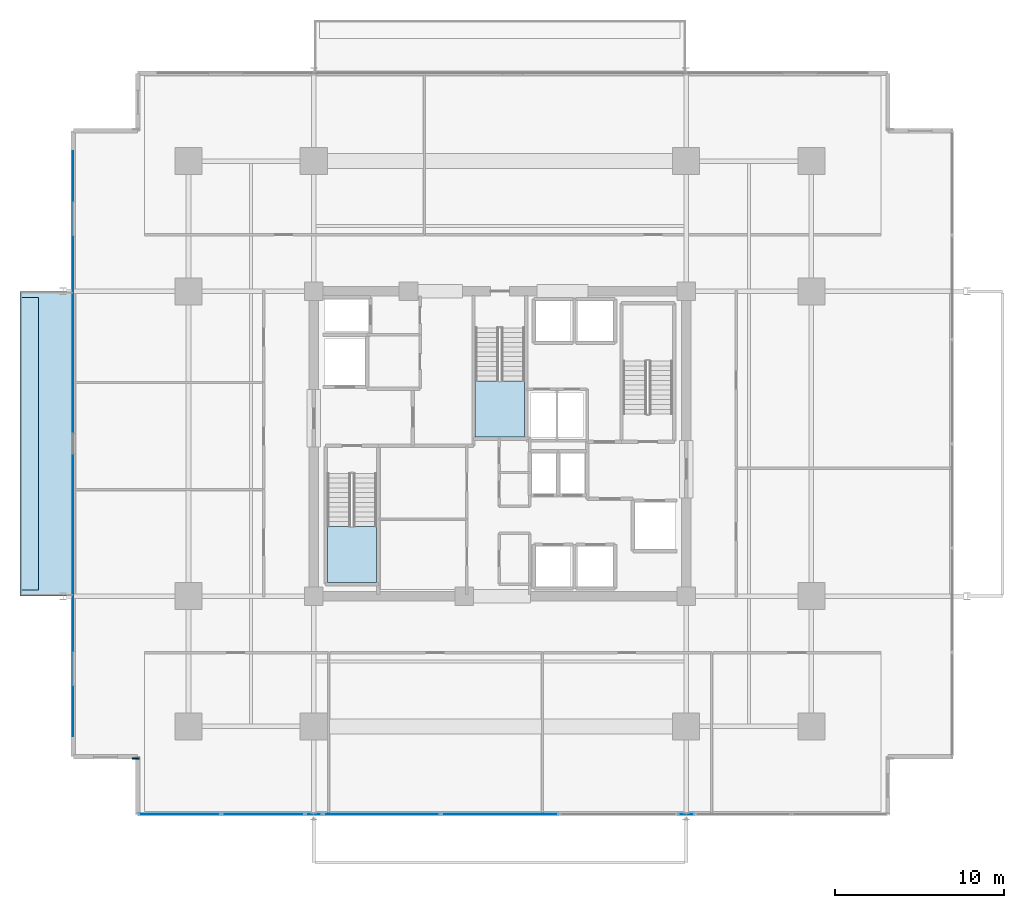
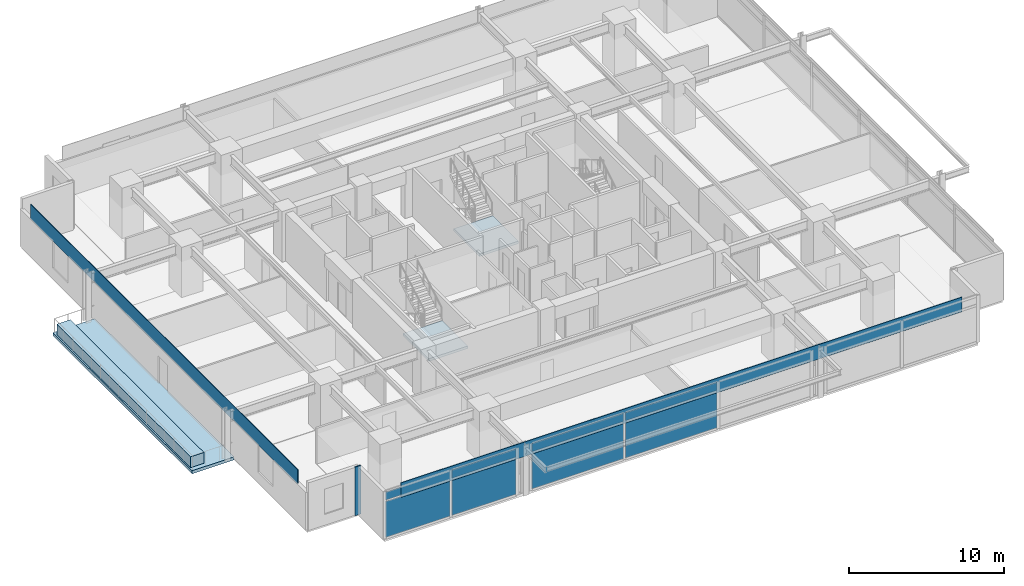
# One storey, part 13 of 23: 11 plates, 4 slabs, 4 elements without a shape of their own.
"""IFC4 building model written with IfcOpenShell, lengths in metres."""

from ifc_helpers import new_model, si_unit, direction, frame, origin, origin_2d, place, context, subcontext, project, spatial, polyline, rectangle, outline, extrude, material, layer, layer_set, type_object, element, aggregate, save


model = new_model("IFC4")

# Units and contexts
model_context = context("Model", 3, precision=1e-05, world=origin(), true_north=direction((0.0, 1.0)))
body_context = subcontext(model_context, "Body", "Model", "MODEL_VIEW")
ifc_project = project(units=[si_unit("LENGTHUNIT", "METRE"), si_unit("AREAUNIT", "SQUARE_METRE"), si_unit("VOLUMEUNIT", "CUBIC_METRE"), si_unit("PLANEANGLEUNIT", "RADIAN"), si_unit("MASSUNIT", "GRAM", prefix="KILO")], contexts=[model_context])

# Site, building, storey
site_placement = place(None, origin())
site = spatial("IfcSite", under=ifc_project, at=site_placement, CompositionType="ELEMENT")
building_placement = place(site_placement, origin())
building = spatial("IfcBuilding", under=site, at=building_placement, Name="Kovane Verandah Tower", CompositionType="ELEMENT")
storey_placement = place(building_placement, frame((0.0, 0.0, 168.39990234375)))
storey = spatial("IfcBuildingStorey", under=building, at=storey_placement, Name="L39", CompositionType="ELEMENT", Elevation=168.39990234375)

# Curtain wall, plates
ifc_material_1 = material(Name="Champagne Anodised Aluminium Frame with Low-E Clear Laminated Glass", Category="aluminium")
curtain_wall_type = type_object("IfcCurtainWallType", Name="CW-SYS-03-MID", PredefinedType="NOTDEFINED", material=ifc_material_1)
curtain_wall_1_placement = place(storey_placement, origin())
curtain_wall_1 = element("IfcCurtainWall", 1, at=curtain_wall_1_placement, inside=storey, type_object=curtain_wall_type, Name="L39 S Unitised Curtain Wall-1", PredefinedType="NOTDEFINED")
ifc_material_2 = material(Name="Pale Champagne Anodised Aluminium Insulated Spandrel", Category="aluminium")
ifc_layer_1 = layer(ifc_material_2, 0.0400390625)
ifc_layer_set_1 = layer_set([ifc_layer_1], Name="Pale Champagne Anodised Aluminium Insulated Spandrel")
plate_type_1 = type_object("IfcPlateType", Name="PL-CW-SPD-40", PredefinedType="SHEET", material=ifc_layer_set_1)
plate_1_placement = place(storey_placement, frame((21.067626953125, 5.617919921875, 3.044921875), z_axis=(0.0, 0.0, 1.0), x_axis=(1.0, 0.0, 0.0)))
plate_1 = element("IfcPlate", 2, at=plate_1_placement, type_object=plate_type_1, Name="L39 S Unitised Curtain Wall-1 Spandrel Panel 1", PredefinedType="SHEET", context=body_context, shape_type="SweptSolid", body=[
    extrude(rectangle(XDim=4.801513671875, YDim=0.0400390625, at=origin_2d()), origin(), (0.0, 0.0, 1.0), 0.639892578125),
])
plate_2_placement = place(storey_placement, frame((26.00927734375, 5.617919921875, 3.044921875), z_axis=(0.0, 0.0, 1.0), x_axis=(1.0, 0.0, 0.0)))
plate_2 = element("IfcPlate", 3, at=plate_2_placement, type_object=plate_type_1, Name="L39 S Unitised Curtain Wall-1 Spandrel Panel 2", PredefinedType="SHEET", context=body_context, shape_type="SweptSolid", body=[
    extrude(rectangle(XDim=4.801513671875, YDim=0.0400390625, at=origin_2d()), origin(), (0.0, 0.0, 1.0), 0.639892578125),
])

curtain_wall_2_placement = place(storey_placement, origin())
curtain_wall_2 = element("IfcCurtainWall", 4, at=curtain_wall_2_placement, inside=storey, type_object=curtain_wall_type, Name="L39 S Unitised Curtain Wall-2", PredefinedType="NOTDEFINED")
plate_3_placement = place(storey_placement, frame((33.01318359375, 5.617919921875, 3.044921875), z_axis=(0.0, 0.0, 1.0), x_axis=(1.0, 0.0, 0.0)))
plate_3 = element("IfcPlate", 5, at=plate_3_placement, type_object=plate_type_1, Name="L39 S Unitised Curtain Wall-2 Spandrel Panel 1", PredefinedType="SHEET", context=body_context, shape_type="SweptSolid", body=[
    extrude(rectangle(XDim=6.8466796875, YDim=0.0400390625, at=origin_2d()), origin(), (0.0, 0.0, 1.0), 0.639892578125),
])
plate_4_placement = place(storey_placement, frame((40.0, 5.617919921875, 3.044921875), z_axis=(0.0, 0.0, 1.0), x_axis=(1.0, 0.0, 0.0)))
plate_4 = element("IfcPlate", 6, at=plate_4_placement, type_object=plate_type_1, Name="L39 S Unitised Curtain Wall-2 Spandrel Panel 2", PredefinedType="SHEET", context=body_context, shape_type="SweptSolid", body=[
    extrude(rectangle(XDim=6.8466796875, YDim=0.0400390625, at=origin_2d()), origin(), (0.0, 0.0, 1.0), 0.639892578125),
])

# Plate
ifc_material_3 = material(Name="Clear Low-E Laminated Double Glazing", Category="glass")
ifc_layer_2 = layer(ifc_material_3, 0.031982421875)
ifc_layer_set_2 = layer_set([ifc_layer_2], Name="Clear Low-E Laminated Double Glazing")
plate_type_2 = type_object("IfcPlateType", Name="PL-CW-VIS-32", PredefinedType="CURTAIN_PANEL", material=ifc_layer_set_2)
plate_5_placement = place(storey_placement, frame((21.067626953125, 5.617919921875, 0.10009765625), z_axis=(0.0, 0.0, 1.0), x_axis=(1.0, 0.0, 0.0)))
plate_5 = element("IfcPlate", 7, at=plate_5_placement, type_object=plate_type_2, Name="L39 S Unitised Curtain Wall-1 Vision Panel 1", PredefinedType="CURTAIN_PANEL", context=body_context, shape_type="SweptSolid", body=[
    extrude(rectangle(XDim=4.801513671875, YDim=0.031982421875, at=origin_2d()), origin(), (0.0, 0.0, 1.0), 2.844970703125),
])

plate_6_placement = place(storey_placement, frame((26.00927734375, 5.617919921875, 0.10009765625), z_axis=(0.0, 0.0, 1.0), x_axis=(1.0, 0.0, 0.0)))
plate_6 = element("IfcPlate", 8, at=plate_6_placement, type_object=plate_type_2, Name="L39 S Unitised Curtain Wall-1 Vision Panel 2", PredefinedType="CURTAIN_PANEL", context=body_context, shape_type="SweptSolid", body=[
    extrude(rectangle(XDim=4.801513671875, YDim=0.031982421875, at=origin_2d()), origin(), (0.0, 0.0, 1.0), 2.844970703125),
])

aggregate(curtain_wall_1, [plate_5, plate_1, plate_6, plate_2])

plate_7_placement = place(storey_placement, frame((33.01318359375, 5.617919921875, 0.10009765625), z_axis=(0.0, 0.0, 1.0), x_axis=(1.0, 0.0, 0.0)))
plate_7 = element("IfcPlate", 9, at=plate_7_placement, type_object=plate_type_2, Name="L39 S Unitised Curtain Wall-2 Vision Panel 1", PredefinedType="CURTAIN_PANEL", context=body_context, shape_type="SweptSolid", body=[
    extrude(rectangle(XDim=6.8466796875, YDim=0.031982421875, at=origin_2d()), origin(), (0.0, 0.0, 1.0), 2.844970703125),
])

plate_8_placement = place(storey_placement, frame((40.0, 5.617919921875, 0.10009765625), z_axis=(0.0, 0.0, 1.0), x_axis=(1.0, 0.0, 0.0)))
plate_8 = element("IfcPlate", 10, at=plate_8_placement, type_object=plate_type_2, Name="L39 S Unitised Curtain Wall-2 Vision Panel 2", PredefinedType="CURTAIN_PANEL", context=body_context, shape_type="SweptSolid", body=[
    extrude(rectangle(XDim=6.8466796875, YDim=0.031982421875, at=origin_2d()), origin(), (0.0, 0.0, 1.0), 2.844970703125),
])

aggregate(curtain_wall_2, [plate_7, plate_3, plate_8, plate_4])

# Plates
ifc_material_4 = material(Name="Timber-Toned Subtropical Aluminium Vertical Blade", Category="wood")
ifc_layer_3 = layer(ifc_material_4, 0.090087890625)
ifc_layer_set_3 = layer_set([ifc_layer_3], Name="Timber-Toned Subtropical Aluminium Vertical Blade")
plate_type_3 = type_object("IfcPlateType", Name="PL-FIN-90", PredefinedType="USERDEFINED", material=ifc_layer_set_3)
plate_9_placement = place(storey_placement, frame((18.476806640625, 8.897705078125, -0.019775390625), z_axis=(0.0, 0.0, 1.0), x_axis=(1.0, 0.0, 0.0)))
element("IfcPlate", 11, at=plate_9_placement, inside=storey, type_object=plate_type_3, Name="L39 SW Timber-Toned Vertical Corner Fin", ObjectType="FIN", PredefinedType="USERDEFINED", context=body_context, shape_type="SweptSolid", body=[
    extrude(rectangle(XDim=0.419921875, YDim=0.090087890625, at=origin_2d()), origin(), (0.0, 0.0, 1.0), 3.8349609375),
])
ifc_material_5 = material(Name="Perforated Pale Champagne Anodised Aluminium Solar Screen", Category="aluminium")
ifc_layer_4 = layer(ifc_material_5, 0.050048828125)
ifc_layer_set_4 = layer_set([ifc_layer_4], Name="Perforated Pale Champagne Anodised Aluminium Solar Screen")
plate_type_4 = type_object("IfcPlateType", Name="PL-SCREEN-50", PredefinedType="USERDEFINED", material=ifc_layer_set_4)
plate_10_placement = place(storey_placement, frame((40.75830078125, 5.602783203125, 2.875244140625), z_axis=(0.0, 0.0, 1.0), x_axis=(1.0, 0.0, 0.0)))
element("IfcPlate", 12, at=plate_10_placement, inside=storey, type_object=plate_type_4, Name="L39 S Perforated Champagne-Gold Solar Screen", ObjectType="SCREEN", PredefinedType="USERDEFINED", context=body_context, shape_type="SweptSolid", body=[
    extrude(rectangle(XDim=41.923095703125, YDim=0.050048828125, at=origin_2d()), origin(), (0.0, 0.0, 1.0), 1.14990234375),
])
plate_11_placement = place(storey_placement, frame((14.78173828125, 27.5, 2.875244140625), z_axis=(0.0, 0.0, 1.0), x_axis=(0.0, -1.0, 0.0)))
element("IfcPlate", 13, at=plate_11_placement, inside=storey, type_object=plate_type_4, Name="L39 W Perforated Champagne-Gold Solar Screen", ObjectType="SCREEN", PredefinedType="USERDEFINED", context=body_context, shape_type="SweptSolid", body=[
    extrude(rectangle(XDim=34.56396484375, YDim=0.050048828125, at=origin_2d()), origin(), (0.0, 0.0, 1.0), 1.14990234375),
])

# Slab
ifc_material_6 = material(Name="Concrete C45/55", Category="concrete")
ifc_layer_5 = layer(ifc_material_6, 0.239990234375)
ifc_layer_set_5 = layer_set([ifc_layer_5], Name="Concrete C45/55")
slab_type_1 = type_object("IfcSlabType", Name="SL-BALC-240", PredefinedType="FLOOR", material=ifc_layer_set_5)
slab_1_placement = place(storey_placement, frame((0.0, 0.0, -0.239990234375)))
element("IfcSlab", 14, at=slab_1_placement, inside=storey, type_object=slab_type_1, Name="L39 W Planted Verandah Balcony Slab", PredefinedType="FLOOR", context=body_context, shape_type="SweptSolid", body=[
    extrude(outline(polyline([(11.646728515625, 18.5), (14.796875, 18.5), (14.796875, 36.5), (11.646728515625, 36.5), (11.646728515625, 18.5)])), origin(), (0.0, 0.0, 1.0), 0.239990234375),
])

# Stair, slab
stair_type = type_object("IfcStairType", Name="ST-CORE-1380", PredefinedType="HALF_TURN_STAIR", material=ifc_material_6)
stair_1_placement = place(storey_placement, origin())
stair_1 = element("IfcStair", 15, at=stair_1_placement, inside=storey, type_object=stair_type, Name="L39 Exit Stair ST-01", PredefinedType="HALF_TURN_STAIR")
ifc_layer_6 = layer(ifc_material_6, 0.199951171875)
ifc_layer_set_6 = layer_set([ifc_layer_6], Name="Concrete C45/55")
slab_type_2 = type_object("IfcSlabType", Name="SL-LAND-200", PredefinedType="LANDING", material=ifc_layer_set_6)
slab_2_placement = place(storey_placement, frame((0.0, 0.0, 1.800048828125)))
slab_2 = element("IfcSlab", 16, at=slab_2_placement, type_object=slab_type_2, Name="ST-01 landing 1", PredefinedType="LANDING", context=body_context, shape_type="SweptSolid", body=[
    extrude(outline(polyline([(29.800048828125, 22.614990234375), (29.800048828125, 19.300048828125), (32.719970703125, 19.300048828125), (32.719970703125, 22.614990234375), (29.800048828125, 22.614990234375)])), origin(), (0.0, 0.0, 1.0), 0.199951171875),
])
aggregate(stair_1, [slab_2])

stair_2_placement = place(storey_placement, origin())
stair_2 = element("IfcStair", 17, at=stair_2_placement, inside=storey, type_object=stair_type, Name="L39 Exit Stair ST-03", PredefinedType="HALF_TURN_STAIR")
slab_3_placement = place(storey_placement, frame((0.0, 0.0, 1.800048828125)))
slab_3 = element("IfcSlab", 18, at=slab_3_placement, type_object=slab_type_2, Name="ST-03 landing 1", PredefinedType="LANDING", context=body_context, shape_type="SweptSolid", body=[
    extrude(outline(polyline([(38.5400390625, 31.215087890625), (38.5400390625, 27.89990234375), (41.4599609375, 27.89990234375), (41.4599609375, 31.215087890625), (38.5400390625, 31.215087890625)])), origin(), (0.0, 0.0, 1.0), 0.199951171875),
])
aggregate(stair_2, [slab_3])

# Slab
ifc_material_7 = material(Name="Architectural Precast Concrete C45/55 Planter Trough", Category="concrete")
ifc_layer_7 = layer(ifc_material_7, 0.219970703125)
ifc_layer_set_7 = layer_set([ifc_layer_7], Name="Architectural Precast Concrete C45/55 Planter Trough")
slab_type_3 = type_object("IfcSlabType", Name="SL-PLANTER-220", PredefinedType="USERDEFINED", material=ifc_layer_set_7)
slab_4_placement = place(storey_placement, origin())
element("IfcSlab", 19, at=slab_4_placement, inside=storey, type_object=slab_type_3, Name="L39 W Structural Tree Planter", ObjectType="PLANTER", PredefinedType="USERDEFINED", context=body_context, shape_type="SweptSolid", body=[
    extrude(outline(polyline([(11.746826171875, 18.85009765625), (12.746826171875, 18.85009765625), (12.746826171875, 36.14990234375), (11.746826171875, 36.14990234375), (11.746826171875, 18.85009765625)])), origin(), (0.0, 0.0, 1.0), 0.85009765625),
])

save(model, "model.ifc")
